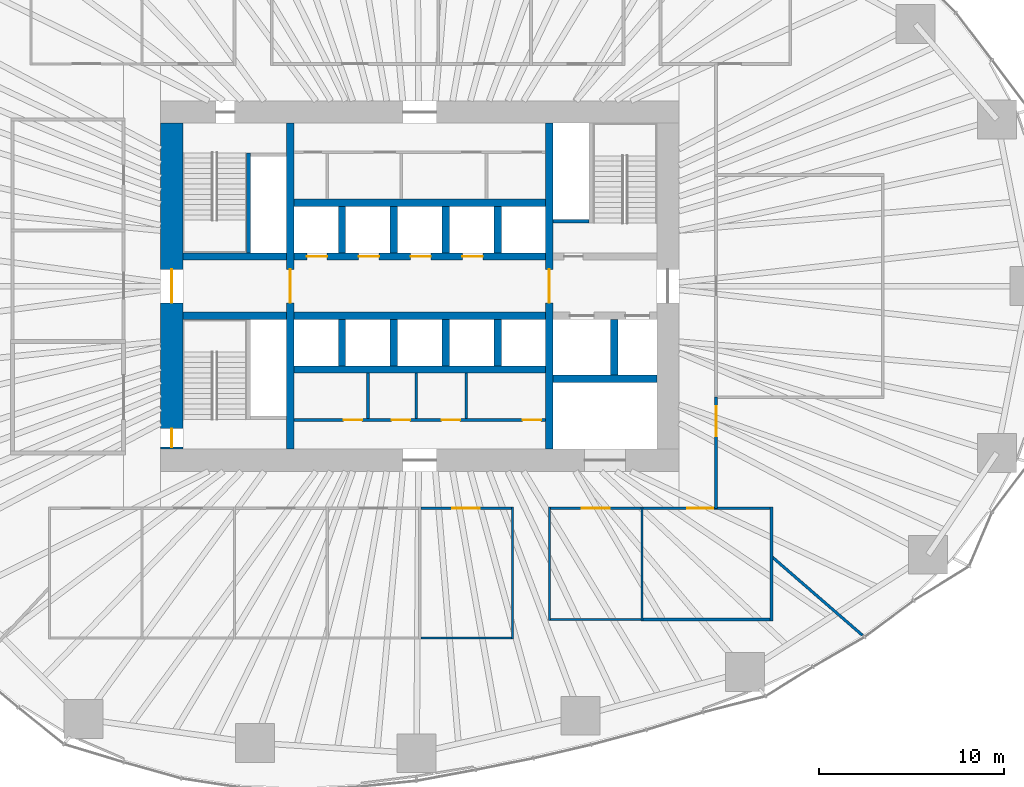
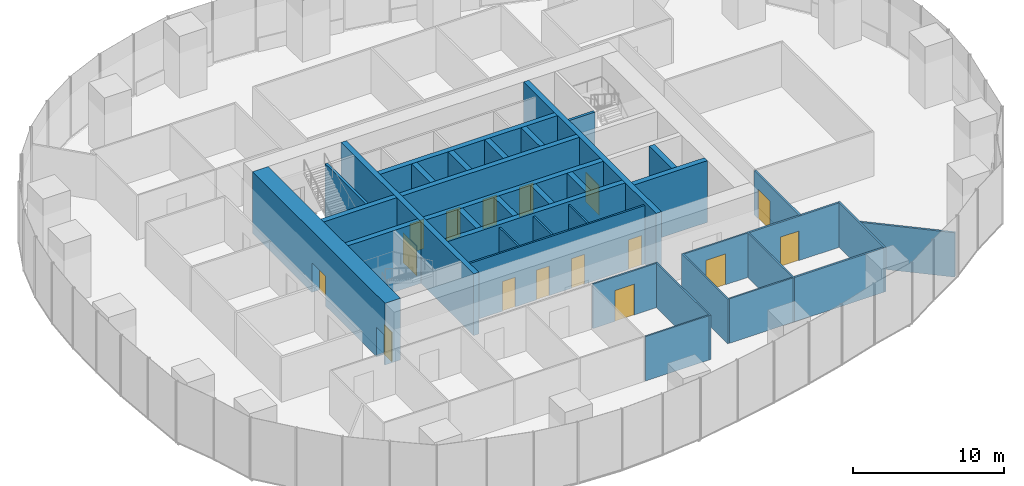
# One storey, part 10 of 20: 37 walls, 16 doors, 16 openings.
"""IFC4 building model written with IfcOpenShell, lengths in metres."""

from ifc_helpers import new_model, si_unit, direction, frame, frame_2d, origin, place, context, subcontext, project, spatial, rectangle, extrude, material, layer, layer_set, type_object, element, fill, save


model = new_model("IFC4")

# Units and contexts
model_context = context("Model", 3, precision=1e-05, world=origin(), true_north=direction((0.0, 1.0)))
body_context = subcontext(model_context, "Body", "Model", "MODEL_VIEW")
ifc_project = project(units=[si_unit("LENGTHUNIT", "METRE"), si_unit("AREAUNIT", "SQUARE_METRE"), si_unit("VOLUMEUNIT", "CUBIC_METRE"), si_unit("PLANEANGLEUNIT", "RADIAN"), si_unit("MASSUNIT", "GRAM", prefix="KILO")], contexts=[model_context])

# Site, building, storey
site_placement = place(None, origin())
site = spatial("IfcSite", under=ifc_project, at=site_placement, CompositionType="ELEMENT")
building_placement = place(site_placement, origin())
building = spatial("IfcBuilding", under=site, at=building_placement, Name="Ghaith Harvest Tower", CompositionType="ELEMENT")
storey_placement = place(building_placement, frame((0.0, 0.0, 50.0)))
storey = spatial("IfcBuildingStorey", under=building, at=storey_placement, Name="L10", CompositionType="ELEMENT", Elevation=50.0)

# Wall, openings, doors
ifc_material_1 = material(Name="Concrete blockwork, fair-faced", Category="masonry")
ifc_layer_1 = layer(ifc_material_1, 0.139892578125)
ifc_layer_set_1 = layer_set([ifc_layer_1], Name="CORE PARTITION 140")
wall_type_1 = type_object("IfcWallType", Name="CORE PARTITION 140", PredefinedType="PARTITIONING", material=ifc_layer_set_1)
wall_1_placement = place(storey_placement, frame((-6.800048828125, -7.22998046875, 0.0), z_axis=(0.0, 0.0, 1.0), x_axis=(1.0, 0.0, 0.0)))
wall_1 = element("IfcWall", 1, at=wall_1_placement, inside=storey, type_object=wall_type_1, Name="Core partition L10", PredefinedType="PARTITIONING", context=body_context, shape_type="SweptSolid", body=[
    extrude(rectangle(XDim=13.60009765625, YDim=0.139892578125, at=frame_2d((6.800048828125, 0.0))), origin(), (0.0, 0.0, 1.0), 4.75),
])
opening_1_placement = place(wall_1_placement, frame((2.679931640625, 0.0, 0.0)))
opening_1 = element("IfcOpeningElement", 2, at=opening_1_placement, cuts=wall_1, Name="Opening 10-012", PredefinedType="OPENING", context=body_context, shape_type="SweptSolid", body=[
    extrude(rectangle(XDim=1.0, YDim=2.39990234375, at=frame_2d((0.5, 1.199951171875))), frame((0.0, 0.080078125, 0.0), z_axis=(0.0, -1.0, 0.0), x_axis=(1.0, 0.0, 0.0)), (0.0, 0.0, 1.0), 0.159912109375),
])
opening_2_placement = place(wall_1_placement, frame((5.280029296875, 0.0, 0.0)))
opening_2 = element("IfcOpeningElement", 3, at=opening_2_placement, cuts=wall_1, Name="Opening 10-013", PredefinedType="OPENING", context=body_context, shape_type="SweptSolid", body=[
    extrude(rectangle(XDim=1.0, YDim=2.39990234375, at=frame_2d((0.5, 1.199951171875))), frame((0.0, 0.080078125, 0.0), z_axis=(0.0, -1.0, 0.0), x_axis=(1.0, 0.0, 0.0)), (0.0, 0.0, 1.0), 0.159912109375),
])
opening_3_placement = place(wall_1_placement, frame((7.97998046875, 0.0, 0.0)))
opening_3 = element("IfcOpeningElement", 4, at=opening_3_placement, cuts=wall_1, Name="Opening 10-014", PredefinedType="OPENING", context=body_context, shape_type="SweptSolid", body=[
    extrude(rectangle(XDim=1.0, YDim=2.39990234375, at=frame_2d((0.5, 1.199951171875))), frame((0.0, 0.080078125, 0.0), z_axis=(0.0, -1.0, 0.0), x_axis=(1.0, 0.0, 0.0)), (0.0, 0.0, 1.0), 0.159912109375),
])
opening_4_placement = place(wall_1_placement, frame((12.35009765625, 0.0, 0.0)))
opening_4 = element("IfcOpeningElement", 5, at=opening_4_placement, cuts=wall_1, Name="Opening 10-015", PredefinedType="OPENING", context=body_context, shape_type="SweptSolid", body=[
    extrude(rectangle(XDim=1.0, YDim=2.39990234375, at=frame_2d((0.5, 1.199951171875))), frame((0.0, 0.080078125, 0.0), z_axis=(0.0, -1.0, 0.0), x_axis=(1.0, 0.0, 0.0)), (0.0, 0.0, 1.0), 0.159912109375),
])
ifc_material_2 = material(Name="Steel fire door", Category="steel")
door_type_1 = type_object("IfcDoorType", Name="D3 FD90 1000x2400", OperationType="SINGLE_SWING_LEFT", PredefinedType="DOOR", material=ifc_material_2)
door_1_placement = place(opening_1_placement, origin())
door_1 = element("IfcDoor", 6, at=door_1_placement, inside=storey, type_object=door_type_1, Name="Electrical room door", OperationType="SINGLE_SWING_LEFT", OverallHeight=2.39990234375, OverallWidth=1.0, PredefinedType="DOOR", context=body_context, shape_type="SweptSolid", body=[
    extrude(rectangle(XDim=1.0, YDim=2.39990234375, at=frame_2d((0.5, 1.199951171875))), frame((0.0, 0.02490234375, 0.0), z_axis=(0.0, -1.0, 0.0), x_axis=(1.0, 0.0, 0.0)), (0.0, 0.0, 1.0), 0.050048828125),
])
fill(opening_1, door_1)
door_2_placement = place(opening_2_placement, origin())
door_2 = element("IfcDoor", 7, at=door_2_placement, inside=storey, type_object=door_type_1, Name="Communications equipment room door", OperationType="SINGLE_SWING_LEFT", OverallHeight=2.39990234375, OverallWidth=1.0, PredefinedType="DOOR", context=body_context, shape_type="SweptSolid", body=[
    extrude(rectangle(XDim=1.0, YDim=2.39990234375, at=frame_2d((0.5, 1.199951171875))), frame((0.0, 0.02490234375, 0.0), z_axis=(0.0, -1.0, 0.0), x_axis=(1.0, 0.0, 0.0)), (0.0, 0.0, 1.0), 0.050048828125),
])
fill(opening_2, door_2)
door_3_placement = place(opening_3_placement, origin())
door_3 = element("IfcDoor", 8, at=door_3_placement, inside=storey, type_object=door_type_1, Name="Staff WC door", OperationType="SINGLE_SWING_RIGHT", OverallHeight=2.39990234375, OverallWidth=1.0, PredefinedType="DOOR", context=body_context, shape_type="SweptSolid", body=[
    extrude(rectangle(XDim=1.0, YDim=2.39990234375, at=frame_2d((0.5, 1.199951171875))), frame((0.0, 0.02490234375, 0.0), z_axis=(0.0, -1.0, 0.0), x_axis=(1.0, 0.0, 0.0)), (0.0, 0.0, 1.0), 0.050048828125),
])
fill(opening_3, door_3)
door_4_placement = place(opening_4_placement, origin())
door_4 = element("IfcDoor", 9, at=door_4_placement, inside=storey, type_object=door_type_1, Name="Riser room door", OperationType="SINGLE_SWING_RIGHT", OverallHeight=2.39990234375, OverallWidth=1.0, PredefinedType="DOOR", context=body_context, shape_type="SweptSolid", body=[
    extrude(rectangle(XDim=1.0, YDim=2.39990234375, at=frame_2d((0.5, 1.199951171875))), frame((0.0, 0.02490234375, 0.0), z_axis=(0.0, -1.0, 0.0), x_axis=(1.0, 0.0, 0.0)), (0.0, 0.0, 1.0), 0.050048828125),
])
fill(opening_4, door_4)

# Walls
for number, where, z_axis, x_axis, name in (
    (10, (-2.800048828125, -4.699951171875, 0.0), (0.0, 0.0, 1.0), (0.0, -1.0, 0.0), "Core partition L10"),
    (11, (-0.199951171875, -4.699951171875, 0.0), (0.0, 0.0, 1.0), (0.0, -1.0, 0.0), "Core partition L10"),
    (12, (2.5, -4.699951171875, 0.0), (0.0, 0.0, 1.0), (0.0, -1.0, 0.0), "Core partition L10"),
):
    element("IfcWall", number, at=place(storey_placement, frame(where, z_axis=z_axis, x_axis=x_axis)), inside=storey, type_object=wall_type_1, Name=name, PredefinedType="PARTITIONING", context=body_context, shape_type="SweptSolid", body=[
        extrude(rectangle(XDim=2.4599609375, YDim=0.139892578125, at=frame_2d((1.22998046875, 0.0))), origin(), (0.0, 0.0, 1.0), 4.75),
    ])

# Wall, openings, doors
ifc_material_3 = material(Name="Concrete C70/85", Category="concrete")
ifc_layer_2 = layer(ifc_material_3, 1.199951171875)
ifc_layer_set_2 = layer_set([ifc_layer_2], Name="CORE WALL CW1200")
wall_type_2 = type_object("IfcWallType", Name="CORE WALL CW1200", PredefinedType="SHEAR", material=ifc_layer_set_2)
wall_2_placement = place(storey_placement, frame((-13.39990234375, 8.800048828125, 0.0), z_axis=(0.0, 0.0, 1.0), x_axis=(0.0, -1.0, 0.0)))
wall_2 = element("IfcWall", 13, at=wall_2_placement, inside=storey, type_object=wall_type_2, Name="Core wall W L10", PredefinedType="SHEAR", context=body_context, shape_type="SweptSolid", body=[
    extrude(rectangle(XDim=17.60009765625, YDim=1.199951171875, at=frame_2d((8.800048828125, 0.0))), origin(), (0.0, 0.0, 1.0), 5.0),
])
opening_5_placement = place(wall_2_placement, frame((7.89990234375, 0.0, 0.0)))
opening_5 = element("IfcOpeningElement", 14, at=opening_5_placement, cuts=wall_2, Name="Opening 10-001", PredefinedType="OPENING", context=body_context, shape_type="SweptSolid", body=[
    extrude(rectangle(XDim=1.800048828125, YDim=2.39990234375, at=frame_2d((0.89990234375, 1.199951171875))), frame((0.0, 0.60986328125, 0.0), z_axis=(0.0, -1.0, 0.0), x_axis=(1.0, 0.0, 0.0)), (0.0, 0.0, 1.0), 1.219970703125),
])
opening_6_placement = place(wall_2_placement, frame((16.5, 0.0, 0.0)))
opening_6 = element("IfcOpeningElement", 15, at=opening_6_placement, cuts=wall_2, Name="Opening 10-006", PredefinedType="OPENING", context=body_context, shape_type="SweptSolid", body=[
    extrude(rectangle(XDim=1.0, YDim=2.39990234375, at=frame_2d((0.5, 1.199951171875))), frame((0.0, 0.60986328125, 0.0), z_axis=(0.0, -1.0, 0.0), x_axis=(1.0, 0.0, 0.0)), (0.0, 0.0, 1.0), 1.219970703125),
])
door_5_placement = place(opening_6_placement, origin())
door_5 = element("IfcDoor", 16, at=door_5_placement, inside=storey, type_object=door_type_1, Name="Stair ST3 door", OperationType="SINGLE_SWING_RIGHT", OverallHeight=2.39990234375, OverallWidth=1.0, PredefinedType="DOOR", context=body_context, shape_type="SweptSolid", body=[
    extrude(rectangle(XDim=1.0, YDim=2.39990234375, at=frame_2d((0.5, 1.199951171875))), frame((0.0, 0.02490234375, 0.0), z_axis=(0.0, -1.0, 0.0), x_axis=(1.0, 0.0, 0.0)), (0.0, 0.0, 1.0), 0.050048828125),
])
fill(opening_6, door_5)
ifc_material_4 = material(Name="Steel fire door", Category="steel")
door_type_2 = type_object("IfcDoorType", Name="D4 FD90 PAIR 1800x2400", OperationType="DOUBLE_DOOR_SINGLE_SWING", PredefinedType="DOOR", material=ifc_material_4)
door_6_placement = place(opening_5_placement, origin())
door_6 = element("IfcDoor", 17, at=door_6_placement, inside=storey, type_object=door_type_2, Name="West lobby doors", OperationType="DOUBLE_DOOR_SINGLE_SWING", OverallHeight=2.39990234375, OverallWidth=1.800048828125, PredefinedType="DOOR", context=body_context, shape_type="SweptSolid", body=[
    extrude(rectangle(XDim=1.800048828125, YDim=2.39990234375, at=frame_2d((0.89990234375, 1.199951171875))), frame((0.0, 0.02490234375, 0.0), z_axis=(0.0, -1.0, 0.0), x_axis=(1.0, 0.0, 0.0)), (0.0, 0.0, 1.0), 0.050048828125),
])
fill(opening_5, door_6)

# Wall
ifc_material_5 = material(Name="Insulated food-grade panel", Category="steel")
ifc_layer_3 = layer(ifc_material_5, 0.1201171875)
ifc_layer_set_3 = layer_set([ifc_layer_3], Name="INSULATED PANEL WALL 120")
wall_type_3 = type_object("IfcWallType", Name="INSULATED PANEL WALL 120", PredefinedType="PARTITIONING", material=ifc_layer_set_3)
wall_3_placement = place(storey_placement, frame((5.0, -11.93994140625, 0.0), z_axis=(0.0, 0.0, 1.0), x_axis=(0.0, -1.0, 0.0)))
element("IfcWall", 18, at=wall_3_placement, inside=storey, type_object=wall_type_3, Name="Partition L10 row S1 cross wall 6", PredefinedType="PARTITIONING", context=body_context, shape_type="SweptSolid", body=[
    extrude(rectangle(XDim=7.1201171875, YDim=0.1201171875, at=frame_2d((3.56005859375, 0.0))), origin(), (0.0, 0.0, 1.0), 3.60009765625),
])

# Wall, opening, door
wall_4_placement = place(storey_placement, frame((0.06005859375, -12.0, 0.0), z_axis=(0.0, 0.0, 1.0), x_axis=(1.0, 0.0, 0.0)))
wall_4 = element("IfcWall", 19, at=wall_4_placement, inside=storey, type_object=wall_type_3, Name="Partition L10-05", PredefinedType="PARTITIONING", context=body_context, shape_type="SweptSolid", body=[
    extrude(rectangle(XDim=4.8798828125, YDim=0.1201171875, at=frame_2d((2.43994140625, 0.0))), origin(), (0.0, 0.0, 1.0), 3.60009765625),
])
opening_7_placement = place(wall_4_placement, frame((1.68994140625, 0.0, 0.0)))
opening_7 = element("IfcOpeningElement", 20, at=opening_7_placement, cuts=wall_4, Name="Opening 10-029", PredefinedType="OPENING", context=body_context, shape_type="SweptSolid", body=[
    extrude(rectangle(XDim=1.5, YDim=2.5, at=frame_2d((0.75, 1.25))), frame((0.0, 0.070068359375, 0.0), z_axis=(0.0, -1.0, 0.0), x_axis=(1.0, 0.0, 0.0)), (0.0, 0.0, 1.0), 0.14013671875),
])
ifc_material_6 = material(Name="Insulated steel sliding door", Category="steel")
door_type_3 = type_object("IfcDoorType", Name="D13 COLD STORE SLIDING 1500x2500", OperationType="SLIDING_TO_LEFT", PredefinedType="DOOR", material=ifc_material_6)
door_7_placement = place(opening_7_placement, origin())
door_7 = element("IfcDoor", 21, at=door_7_placement, inside=storey, type_object=door_type_3, Name="Microgreen chamber door", OperationType="SLIDING_TO_LEFT", OverallHeight=2.5, OverallWidth=1.5, PredefinedType="DOOR", context=body_context, shape_type="SweptSolid", body=[
    extrude(rectangle(XDim=1.5, YDim=2.5, at=frame_2d((0.75, 1.25))), frame((0.0, 0.02490234375, 0.0), z_axis=(0.0, -1.0, 0.0), x_axis=(1.0, 0.0, 0.0)), (0.0, 0.0, 1.0), 0.050048828125),
])
fill(opening_7, door_7)

# Walls
wall_5_placement = place(storey_placement, frame((0.06005859375, -19.0, 0.0), z_axis=(0.0, 0.0, 1.0), x_axis=(1.0, 0.0, 0.0)))
element("IfcWall", 22, at=wall_5_placement, inside=storey, type_object=wall_type_3, Name="Partition L10-05", PredefinedType="PARTITIONING", context=body_context, shape_type="SweptSolid", body=[
    extrude(rectangle(XDim=4.8798828125, YDim=0.1201171875, at=frame_2d((2.43994140625, 0.0))), origin(), (0.0, 0.0, 1.0), 3.60009765625),
])
wall_6_placement = place(storey_placement, frame((7.0, -11.93994140625, 0.0), z_axis=(0.0, 0.0, 1.0), x_axis=(0.0, -1.0, 0.0)))
element("IfcWall", 23, at=wall_6_placement, inside=storey, type_object=wall_type_3, Name="Partition L10 row S2 cross wall 1", PredefinedType="PARTITIONING", context=body_context, shape_type="SweptSolid", body=[
    extrude(rectangle(XDim=6.1201171875, YDim=0.1201171875, at=frame_2d((3.06005859375, 0.0))), origin(), (0.0, 0.0, 1.0), 3.60009765625),
])
wall_7_placement = place(storey_placement, frame((12.0, -11.925048828125, 0.0), z_axis=(0.0, 0.0, 1.0), x_axis=(0.0, -1.0, 0.0)))
element("IfcWall", 24, at=wall_7_placement, inside=storey, type_object=wall_type_3, Name="Partition L10 row S2 cross wall 2", PredefinedType="PARTITIONING", context=body_context, shape_type="SweptSolid", body=[
    extrude(rectangle(XDim=6.14990234375, YDim=0.1201171875, at=frame_2d((3.074951171875, 0.0))), origin(), (0.0, 0.0, 1.0), 3.60009765625),
])

# Wall, opening, door
wall_8_placement = place(storey_placement, frame((7.06005859375, -12.0, 0.0), z_axis=(0.0, 0.0, 1.0), x_axis=(1.0, 0.0, 0.0)))
wall_8 = element("IfcWall", 25, at=wall_8_placement, inside=storey, type_object=wall_type_3, Name="Partition L10-06", PredefinedType="PARTITIONING", context=body_context, shape_type="SweptSolid", body=[
    extrude(rectangle(XDim=4.8798828125, YDim=0.1201171875, at=frame_2d((2.43994140625, 0.0))), origin(), (0.0, 0.0, 1.0), 3.60009765625),
])
opening_8_placement = place(wall_8_placement, frame((1.68994140625, 0.0, 0.0)))
opening_8 = element("IfcOpeningElement", 26, at=opening_8_placement, cuts=wall_8, Name="Opening 10-030", PredefinedType="OPENING", context=body_context, shape_type="SweptSolid", body=[
    extrude(rectangle(XDim=1.5, YDim=2.5, at=frame_2d((0.75, 1.25))), frame((0.0, 0.070068359375, 0.0), z_axis=(0.0, -1.0, 0.0), x_axis=(1.0, 0.0, 0.0)), (0.0, 0.0, 1.0), 0.14013671875),
])
door_8_placement = place(opening_8_placement, origin())
door_8 = element("IfcDoor", 27, at=door_8_placement, inside=storey, type_object=door_type_3, Name="Cold store door", OperationType="SLIDING_TO_LEFT", OverallHeight=2.5, OverallWidth=1.5, PredefinedType="DOOR", context=body_context, shape_type="SweptSolid", body=[
    extrude(rectangle(XDim=1.5, YDim=2.5, at=frame_2d((0.75, 1.25))), frame((0.0, 0.02490234375, 0.0), z_axis=(0.0, -1.0, 0.0), x_axis=(1.0, 0.0, 0.0)), (0.0, 0.0, 1.0), 0.050048828125),
])
fill(opening_8, door_8)

# Walls
wall_9_placement = place(storey_placement, frame((7.06005859375, -18.0, 0.0), z_axis=(0.0, 0.0, 1.0), x_axis=(1.0, 0.0, 0.0)))
element("IfcWall", 28, at=wall_9_placement, inside=storey, type_object=wall_type_3, Name="Partition L10-06", PredefinedType="PARTITIONING", context=body_context, shape_type="SweptSolid", body=[
    extrude(rectangle(XDim=4.8798828125, YDim=0.1201171875, at=frame_2d((2.43994140625, 0.0))), origin(), (0.0, 0.0, 1.0), 3.60009765625),
])
ifc_material_7 = material(Name="Gypsum board on steel studs", Category="steel")
ifc_layer_4 = layer(ifc_material_7, 0.14990234375)
ifc_layer_set_4 = layer_set([ifc_layer_4], Name="PARTITION 150")
wall_type_4 = type_object("IfcWallType", Name="PARTITION 150", PredefinedType="PARTITIONING", material=ifc_layer_set_4)
wall_10_placement = place(storey_placement, frame((19.0, -11.925048828125, 0.0), z_axis=(0.0, 0.0, 1.0), x_axis=(0.0, -1.0, 0.0)))
element("IfcWall", 29, at=wall_10_placement, inside=storey, type_object=wall_type_4, Name="Partition L10 row S2 cross wall 3", PredefinedType="PARTITIONING", context=body_context, shape_type="SweptSolid", body=[
    extrude(rectangle(XDim=6.14990234375, YDim=0.14990234375, at=frame_2d((3.074951171875, 0.0))), origin(), (0.0, 0.0, 1.0), 3.60009765625),
])

# Wall, opening, door
wall_11_placement = place(storey_placement, frame((12.06005859375, -12.0, 0.0), z_axis=(0.0, 0.0, 1.0), x_axis=(1.0, 0.0, 0.0)))
wall_11 = element("IfcWall", 30, at=wall_11_placement, inside=storey, type_object=wall_type_4, Name="Partition L10-07", PredefinedType="PARTITIONING", context=body_context, shape_type="SweptSolid", body=[
    extrude(rectangle(XDim=6.864990234375, YDim=0.14990234375, at=frame_2d((3.4326171875, 0.0))), origin(), (0.0, 0.0, 1.0), 3.60009765625),
])
opening_9_placement = place(wall_11_placement, frame((2.382568359375, 0.0, 0.0)))
opening_9 = element("IfcOpeningElement", 31, at=opening_9_placement, cuts=wall_11, Name="Opening 10-031", PredefinedType="OPENING", context=body_context, shape_type="SweptSolid", body=[
    extrude(rectangle(XDim=1.39990234375, YDim=2.39990234375, at=frame_2d((0.699951171875, 1.199951171875))), frame((0.0, 0.0849609375, 0.0), z_axis=(0.0, -1.0, 0.0), x_axis=(1.0, 0.0, 0.0)), (0.0, 0.0, 1.0), 0.169921875),
])
ifc_material_8 = material(Name="Stainless steel faced door pair", Category="steel")
door_type_4 = type_object("IfcDoorType", Name="D14 HYGIENE PAIR 1400x2400", OperationType="DOUBLE_DOOR_DOUBLE_SWING", PredefinedType="DOOR", material=ifc_material_8)
door_9_placement = place(opening_9_placement, origin())
door_9 = element("IfcDoor", 32, at=door_9_placement, inside=storey, type_object=door_type_4, Name="Packing room door", OperationType="DOUBLE_DOOR_DOUBLE_SWING", OverallHeight=2.39990234375, OverallWidth=1.39990234375, PredefinedType="DOOR", context=body_context, shape_type="SweptSolid", body=[
    extrude(rectangle(XDim=1.39990234375, YDim=2.39990234375, at=frame_2d((0.699951171875, 1.199951171875))), frame((0.0, 0.02490234375, 0.0), z_axis=(0.0, -1.0, 0.0), x_axis=(1.0, 0.0, 0.0)), (0.0, 0.0, 1.0), 0.050048828125),
])
fill(opening_9, door_9)

# Walls
wall_12_placement = place(storey_placement, frame((12.06005859375, -18.0, 0.0), z_axis=(0.0, 0.0, 1.0), x_axis=(1.0, 0.0, 0.0)))
element("IfcWall", 33, at=wall_12_placement, inside=storey, type_object=wall_type_4, Name="Partition L10-07", PredefinedType="PARTITIONING", context=body_context, shape_type="SweptSolid", body=[
    extrude(rectangle(XDim=6.864990234375, YDim=0.14990234375, at=frame_2d((3.4326171875, 0.0))), origin(), (0.0, 0.0, 1.0), 3.60009765625),
])
wall_13_placement = place(storey_placement, frame((19.02001953125, -14.619384765625, 0.0), z_axis=(0.0, 0.0, 1.0), x_axis=(0.755435065004, -0.65522352107, 0.0)))
element("IfcWall", 34, at=wall_13_placement, inside=storey, type_object=wall_type_4, Name="Partition L10 zone division", PredefinedType="PARTITIONING", context=body_context, shape_type="SweptSolid", body=[
    extrude(rectangle(XDim=6.470703125, YDim=0.14990234375, at=frame_2d((3.2353515625, 0.0))), origin(), (0.0, 0.0, 1.0), 3.60009765625),
])

# Wall, opening, door
wall_14_placement = place(storey_placement, frame((16.0, -12.0, 0.0), z_axis=(0.0, 0.0, 1.0), x_axis=(0.0, 1.0, 0.0)))
wall_14 = element("IfcWall", 35, at=wall_14_placement, inside=storey, type_object=wall_type_4, Name="Partition L10 zone enclosure", PredefinedType="PARTITIONING", context=body_context, shape_type="SweptSolid", body=[
    extrude(rectangle(XDim=6.0, YDim=0.14990234375, at=frame_2d((3.0, 0.0))), origin(), (0.0, 0.0, 1.0), 3.60009765625),
])
opening_10_placement = place(wall_14_placement, frame((3.89990234375, 0.0, 0.0)))
opening_10 = element("IfcOpeningElement", 36, at=opening_10_placement, cuts=wall_14, Name="Opening 10-042", PredefinedType="OPENING", context=body_context, shape_type="SweptSolid", body=[
    extrude(rectangle(XDim=1.60009765625, YDim=2.39990234375, at=frame_2d((0.800048828125, 1.199951171875))), frame((0.0, 0.0849609375, 0.0), z_axis=(0.0, -1.0, 0.0), x_axis=(1.0, 0.0, 0.0)), (0.0, 0.0, 1.0), 0.169921875),
])
ifc_material_9 = material(Name="Timber door", Category="wood")
door_type_5 = type_object("IfcDoorType", Name="D2 PAIR 1600x2400", OperationType="DOUBLE_DOOR_SINGLE_SWING", PredefinedType="DOOR", material=ifc_material_9)
door_10_placement = place(opening_10_placement, origin())
door_10 = element("IfcDoor", 37, at=door_10_placement, inside=storey, type_object=door_type_5, Name="Microgreens growing area east door", OperationType="DOUBLE_DOOR_SINGLE_SWING", OverallHeight=2.39990234375, OverallWidth=1.60009765625, PredefinedType="DOOR", context=body_context, shape_type="SweptSolid", body=[
    extrude(rectangle(XDim=1.60009765625, YDim=2.39990234375, at=frame_2d((0.800048828125, 1.199951171875))), frame((0.0, 0.02490234375, 0.0), z_axis=(0.0, -1.0, 0.0), x_axis=(1.0, 0.0, 0.0)), (0.0, 0.0, 1.0), 0.050048828125),
])
fill(opening_10, door_10)

ifc_material_10 = material(Name="Concrete C70/85", Category="concrete")
ifc_layer_5 = layer(ifc_material_10, 0.39990234375)
ifc_layer_set_5 = layer_set([ifc_layer_5], Name="SHAFT WALL 400")
wall_type_5 = type_object("IfcWallType", Name="SHAFT WALL 400", PredefinedType="SHEAR", material=ifc_layer_set_5)
wall_15_placement = place(storey_placement, frame((-7.0, -8.800048828125, 0.0), z_axis=(0.0, 0.0, 1.0), x_axis=(0.0, 1.0, 0.0)))
wall_15 = element("IfcWall", 38, at=wall_15_placement, inside=storey, type_object=wall_type_5, Name="Shaft wall W7W L10", PredefinedType="SHEAR", context=body_context, shape_type="SweptSolid", body=[
    extrude(rectangle(XDim=17.60009765625, YDim=0.39990234375, at=frame_2d((8.800048828125, 0.0))), origin(), (0.0, 0.0, 1.0), 5.0),
])
opening_11_placement = place(wall_15_placement, frame((7.89990234375, 0.0, 0.0)))
opening_11 = element("IfcOpeningElement", 39, at=opening_11_placement, cuts=wall_15, Name="Opening 10-003", PredefinedType="OPENING", context=body_context, shape_type="SweptSolid", body=[
    extrude(rectangle(XDim=1.800048828125, YDim=2.39990234375, at=frame_2d((0.89990234375, 1.199951171875))), frame((0.0, 0.2099609375, 0.0), z_axis=(0.0, -1.0, 0.0), x_axis=(1.0, 0.0, 0.0)), (0.0, 0.0, 1.0), 0.419921875),
])
door_11_placement = place(opening_11_placement, origin())
door_11 = element("IfcDoor", 40, at=door_11_placement, inside=storey, type_object=door_type_2, Name="Lift lobby doors, west", OperationType="DOUBLE_DOOR_SINGLE_SWING", OverallHeight=2.39990234375, OverallWidth=1.800048828125, PredefinedType="DOOR", context=body_context, shape_type="SweptSolid", body=[
    extrude(rectangle(XDim=1.800048828125, YDim=2.39990234375, at=frame_2d((0.89990234375, 1.199951171875))), frame((0.0, 0.02490234375, 0.0), z_axis=(0.0, -1.0, 0.0), x_axis=(1.0, 0.0, 0.0)), (0.0, 0.0, 1.0), 0.050048828125),
])
fill(opening_11, door_11)

wall_16_placement = place(storey_placement, frame((7.0, -8.800048828125, 0.0), z_axis=(0.0, 0.0, 1.0), x_axis=(0.0, 1.0, 0.0)))
wall_16 = element("IfcWall", 41, at=wall_16_placement, inside=storey, type_object=wall_type_5, Name="Shaft wall W7E L10", PredefinedType="SHEAR", context=body_context, shape_type="SweptSolid", body=[
    extrude(rectangle(XDim=17.60009765625, YDim=0.39990234375, at=frame_2d((8.800048828125, 0.0))), origin(), (0.0, 0.0, 1.0), 5.0),
])
opening_12_placement = place(wall_16_placement, frame((7.89990234375, 0.0, 0.0)))
opening_12 = element("IfcOpeningElement", 42, at=opening_12_placement, cuts=wall_16, Name="Opening 10-004", PredefinedType="OPENING", context=body_context, shape_type="SweptSolid", body=[
    extrude(rectangle(XDim=1.800048828125, YDim=2.39990234375, at=frame_2d((0.89990234375, 1.199951171875))), frame((0.0, 0.2099609375, 0.0), z_axis=(0.0, -1.0, 0.0), x_axis=(1.0, 0.0, 0.0)), (0.0, 0.0, 1.0), 0.419921875),
])
door_12_placement = place(opening_12_placement, origin())
door_12 = element("IfcDoor", 43, at=door_12_placement, inside=storey, type_object=door_type_2, Name="Lift lobby doors, east", OperationType="DOUBLE_DOOR_SINGLE_SWING", OverallHeight=2.39990234375, OverallWidth=1.800048828125, PredefinedType="DOOR", context=body_context, shape_type="SweptSolid", body=[
    extrude(rectangle(XDim=1.800048828125, YDim=2.39990234375, at=frame_2d((0.89990234375, 1.199951171875))), frame((0.0, 0.02490234375, 0.0), z_axis=(0.0, -1.0, 0.0), x_axis=(1.0, 0.0, 0.0)), (0.0, 0.0, 1.0), 0.050048828125),
])
fill(opening_12, door_12)

# Wall, openings, doors
wall_17_placement = place(storey_placement, frame((-6.800048828125, 1.60009765625, 0.0), z_axis=(0.0, 0.0, 1.0), x_axis=(1.0, 0.0, 0.0)))
wall_17 = element("IfcWall", 44, at=wall_17_placement, inside=storey, type_object=wall_type_5, Name="Shaft wall LN L10", PredefinedType="SHEAR", context=body_context, shape_type="SweptSolid", body=[
    extrude(rectangle(XDim=13.60009765625, YDim=0.39990234375, at=frame_2d((6.800048828125, 0.0))), origin(), (0.0, 0.0, 1.0), 5.0),
])
opening_13_placement = place(wall_17_placement, frame((0.699951171875, 0.0, 0.0)))
opening_13 = element("IfcOpeningElement", 45, at=opening_13_placement, cuts=wall_17, Name="Opening 10-018", PredefinedType="OPENING", context=body_context, shape_type="SweptSolid", body=[
    extrude(rectangle(XDim=1.10009765625, YDim=2.39990234375, at=frame_2d((0.550048828125, 1.199951171875))), frame((0.0, 0.2099609375, 0.0), z_axis=(0.0, -1.0, 0.0), x_axis=(1.0, 0.0, 0.0)), (0.0, 0.0, 1.0), 0.419921875),
])
opening_14_placement = place(wall_17_placement, frame((3.5, 0.0, 0.0)))
opening_14 = element("IfcOpeningElement", 46, at=opening_14_placement, cuts=wall_17, Name="Opening 10-019", PredefinedType="OPENING", context=body_context, shape_type="SweptSolid", body=[
    extrude(rectangle(XDim=1.10009765625, YDim=2.39990234375, at=frame_2d((0.550048828125, 1.199951171875))), frame((0.0, 0.2099609375, 0.0), z_axis=(0.0, -1.0, 0.0), x_axis=(1.0, 0.0, 0.0)), (0.0, 0.0, 1.0), 0.419921875),
])
opening_15_placement = place(wall_17_placement, frame((6.300048828125, 0.0, 0.0)))
opening_15 = element("IfcOpeningElement", 47, at=opening_15_placement, cuts=wall_17, Name="Opening 10-020", PredefinedType="OPENING", context=body_context, shape_type="SweptSolid", body=[
    extrude(rectangle(XDim=1.10009765625, YDim=2.39990234375, at=frame_2d((0.550048828125, 1.199951171875))), frame((0.0, 0.2099609375, 0.0), z_axis=(0.0, -1.0, 0.0), x_axis=(1.0, 0.0, 0.0)), (0.0, 0.0, 1.0), 0.419921875),
])
opening_16_placement = place(wall_17_placement, frame((9.10009765625, 0.0, 0.0)))
opening_16 = element("IfcOpeningElement", 48, at=opening_16_placement, cuts=wall_17, Name="Opening 10-021", PredefinedType="OPENING", context=body_context, shape_type="SweptSolid", body=[
    extrude(rectangle(XDim=1.10009765625, YDim=2.39990234375, at=frame_2d((0.550048828125, 1.199951171875))), frame((0.0, 0.2099609375, 0.0), z_axis=(0.0, -1.0, 0.0), x_axis=(1.0, 0.0, 0.0)), (0.0, 0.0, 1.0), 0.419921875),
])
ifc_material_11 = material(Name="Steel fire door", Category="steel")
door_type_6 = type_object("IfcDoorType", Name="LD1 LANDING 1100x2400", OperationType="DOUBLE_DOOR_SLIDING", PredefinedType="DOOR", material=ifc_material_11)
door_13_placement = place(opening_13_placement, origin())
door_13 = element("IfcDoor", 49, at=door_13_placement, inside=storey, type_object=door_type_6, Name="Landing door, lift FA1", OperationType="DOUBLE_DOOR_SLIDING", OverallHeight=2.39990234375, OverallWidth=1.10009765625, PredefinedType="DOOR", context=body_context, shape_type="SweptSolid", body=[
    extrude(rectangle(XDim=1.10009765625, YDim=2.39990234375, at=frame_2d((0.550048828125, 1.199951171875))), frame((0.0, 0.02490234375, 0.0), z_axis=(0.0, -1.0, 0.0), x_axis=(1.0, 0.0, 0.0)), (0.0, 0.0, 1.0), 0.050048828125),
])
fill(opening_13, door_13)
door_14_placement = place(opening_14_placement, origin())
door_14 = element("IfcDoor", 50, at=door_14_placement, inside=storey, type_object=door_type_6, Name="Landing door, lift FA2", OperationType="DOUBLE_DOOR_SLIDING", OverallHeight=2.39990234375, OverallWidth=1.10009765625, PredefinedType="DOOR", context=body_context, shape_type="SweptSolid", body=[
    extrude(rectangle(XDim=1.10009765625, YDim=2.39990234375, at=frame_2d((0.550048828125, 1.199951171875))), frame((0.0, 0.02490234375, 0.0), z_axis=(0.0, -1.0, 0.0), x_axis=(1.0, 0.0, 0.0)), (0.0, 0.0, 1.0), 0.050048828125),
])
fill(opening_14, door_14)
door_15_placement = place(opening_15_placement, origin())
door_15 = element("IfcDoor", 51, at=door_15_placement, inside=storey, type_object=door_type_6, Name="Landing door, lift FA3", OperationType="DOUBLE_DOOR_SLIDING", OverallHeight=2.39990234375, OverallWidth=1.10009765625, PredefinedType="DOOR", context=body_context, shape_type="SweptSolid", body=[
    extrude(rectangle(XDim=1.10009765625, YDim=2.39990234375, at=frame_2d((0.550048828125, 1.199951171875))), frame((0.0, 0.02490234375, 0.0), z_axis=(0.0, -1.0, 0.0), x_axis=(1.0, 0.0, 0.0)), (0.0, 0.0, 1.0), 0.050048828125),
])
fill(opening_15, door_15)
door_16_placement = place(opening_16_placement, origin())
door_16 = element("IfcDoor", 52, at=door_16_placement, inside=storey, type_object=door_type_6, Name="Landing door, lift FA4", OperationType="DOUBLE_DOOR_SLIDING", OverallHeight=2.39990234375, OverallWidth=1.10009765625, PredefinedType="DOOR", context=body_context, shape_type="SweptSolid", body=[
    extrude(rectangle(XDim=1.10009765625, YDim=2.39990234375, at=frame_2d((0.550048828125, 1.199951171875))), frame((0.0, 0.02490234375, 0.0), z_axis=(0.0, -1.0, 0.0), x_axis=(1.0, 0.0, 0.0)), (0.0, 0.0, 1.0), 0.050048828125),
])
fill(opening_16, door_16)

# Walls
for number, where, z_axis, x_axis, name in (
    (53, (-6.800048828125, -1.60009765625, 0.0), (0.0, 0.0, 1.0), (1.0, 0.0, 0.0), "Shaft wall LS L10"),
    (54, (-6.800048828125, 4.5, 0.0), (0.0, 0.0, 1.0), (1.0, 0.0, 0.0), "Shaft wall BN L10"),
    (55, (-6.800048828125, -4.5, 0.0), (0.0, 0.0, 1.0), (1.0, 0.0, 0.0), "Shaft wall BS L10"),
):
    element("IfcWall", number, at=place(storey_placement, frame(where, z_axis=z_axis, x_axis=x_axis)), inside=storey, type_object=wall_type_5, Name=name, PredefinedType="SHEAR", context=body_context, shape_type="SweptSolid", body=[
        extrude(rectangle(XDim=13.60009765625, YDim=0.39990234375, at=frame_2d((6.800048828125, 0.0))), origin(), (0.0, 0.0, 1.0), 5.0),
    ])
for number, where, z_axis, x_axis, name in (
    (56, (-12.800048828125, 1.60009765625, 0.0), (0.0, 0.0, 1.0), (1.0, 0.0, 0.0), "Shaft wall WN L10"),
    (57, (-12.800048828125, -1.60009765625, 0.0), (0.0, 0.0, 1.0), (1.0, 0.0, 0.0), "Shaft wall WS L10"),
):
    element("IfcWall", number, at=place(storey_placement, frame(where, z_axis=z_axis, x_axis=x_axis)), inside=storey, type_object=wall_type_5, Name=name, PredefinedType="SHEAR", context=body_context, shape_type="SweptSolid", body=[
        extrude(rectangle(XDim=5.60009765625, YDim=0.39990234375, at=frame_2d((2.800048828125, 0.0))), origin(), (0.0, 0.0, 1.0), 5.0),
    ])
wall_18_placement = place(storey_placement, frame((10.5, -4.800048828125, 0.0), z_axis=(0.0, 0.0, 1.0), x_axis=(0.0, 1.0, 0.0)))
element("IfcWall", 58, at=wall_18_placement, inside=storey, type_object=wall_type_5, Name="Shaft wall FLD L10", PredefinedType="SHEAR", context=body_context, shape_type="SweptSolid", body=[
    extrude(rectangle(XDim=3.0, YDim=0.39990234375, at=frame_2d((1.5, 0.0))), origin(), (0.0, 0.0, 1.0), 5.0),
])
wall_19_placement = place(storey_placement, frame((7.199951171875, -5.0, 0.0), z_axis=(0.0, 0.0, 1.0), x_axis=(1.0, 0.0, 0.0)))
element("IfcWall", 59, at=wall_19_placement, inside=storey, type_object=wall_type_5, Name="Shaft wall FLB L10", PredefinedType="SHEAR", context=body_context, shape_type="SweptSolid", body=[
    extrude(rectangle(XDim=5.60009765625, YDim=0.39990234375, at=frame_2d((2.800048828125, 0.0))), origin(), (0.0, 0.0, 1.0), 5.0),
])
for number, where, z_axis, x_axis, name in (
    (60, (-4.199951171875, 1.800048828125, 0.0), (0.0, 0.0, 1.0), (0.0, 1.0, 0.0), "Shaft wall DN1 L10"),
    (61, (-4.199951171875, -4.300048828125, 0.0), (0.0, 0.0, 1.0), (0.0, 1.0, 0.0), "Shaft wall DS1 L10"),
    (62, (-1.39990234375, 1.800048828125, 0.0), (0.0, 0.0, 1.0), (0.0, 1.0, 0.0), "Shaft wall DN2 L10"),
    (63, (-1.39990234375, -4.300048828125, 0.0), (0.0, 0.0, 1.0), (0.0, 1.0, 0.0), "Shaft wall DS2 L10"),
    (64, (1.39990234375, 1.800048828125, 0.0), (0.0, 0.0, 1.0), (0.0, 1.0, 0.0), "Shaft wall DN3 L10"),
    (65, (1.39990234375, -4.300048828125, 0.0), (0.0, 0.0, 1.0), (0.0, 1.0, 0.0), "Shaft wall DS3 L10"),
    (66, (4.199951171875, 1.800048828125, 0.0), (0.0, 0.0, 1.0), (0.0, 1.0, 0.0), "Shaft wall DN4 L10"),
    (67, (4.199951171875, -4.300048828125, 0.0), (0.0, 0.0, 1.0), (0.0, 1.0, 0.0), "Shaft wall DS4 L10"),
):
    element("IfcWall", number, at=place(storey_placement, frame(where, z_axis=z_axis, x_axis=x_axis)), inside=storey, type_object=wall_type_5, Name=name, PredefinedType="SHEAR", context=body_context, shape_type="SweptSolid", body=[
        extrude(rectangle(XDim=2.5, YDim=0.39990234375, at=frame_2d((1.25, 0.0))), origin(), (0.0, 0.0, 1.0), 5.0),
    ])
ifc_material_12 = material(Name="Concrete C40/50", Category="concrete")
ifc_layer_6 = layer(ifc_material_12, 0.199951171875)
ifc_layer_set_6 = layer_set([ifc_layer_6], Name="STAIR SPINE WALL RC200")
wall_type_6 = type_object("IfcWallType", Name="STAIR SPINE WALL RC200", PredefinedType="SOLIDWALL", material=ifc_layer_set_6)
wall_20_placement = place(storey_placement, frame((-9.25, 7.199951171875, 0.0), z_axis=(0.0, 0.0, 1.0), x_axis=(0.0, -1.0, 0.0)))
element("IfcWall", 68, at=wall_20_placement, inside=storey, type_object=wall_type_6, Name="Stair ST1 spine wall L10", PredefinedType="SOLIDWALL", context=body_context, shape_type="SweptSolid", body=[
    extrude(rectangle(XDim=5.39990234375, YDim=0.199951171875, at=frame_2d((2.699951171875, 0.0))), origin(), (0.0, 0.0, 1.0), 5.0),
])
wall_21_placement = place(storey_placement, frame((9.14990234375, 3.5, 0.0), z_axis=(0.0, 0.0, 1.0), x_axis=(-1.0, 0.0, 0.0)))
element("IfcWall", 69, at=wall_21_placement, inside=storey, type_object=wall_type_6, Name="Stair ST2 spine wall return L10", PredefinedType="SOLIDWALL", context=body_context, shape_type="SweptSolid", body=[
    extrude(rectangle(XDim=1.949951171875, YDim=0.199951171875, at=frame_2d((0.97509765625, 0.0))), origin(), (0.0, 0.0, 1.0), 5.0),
])

save(model, "model.ifc")
